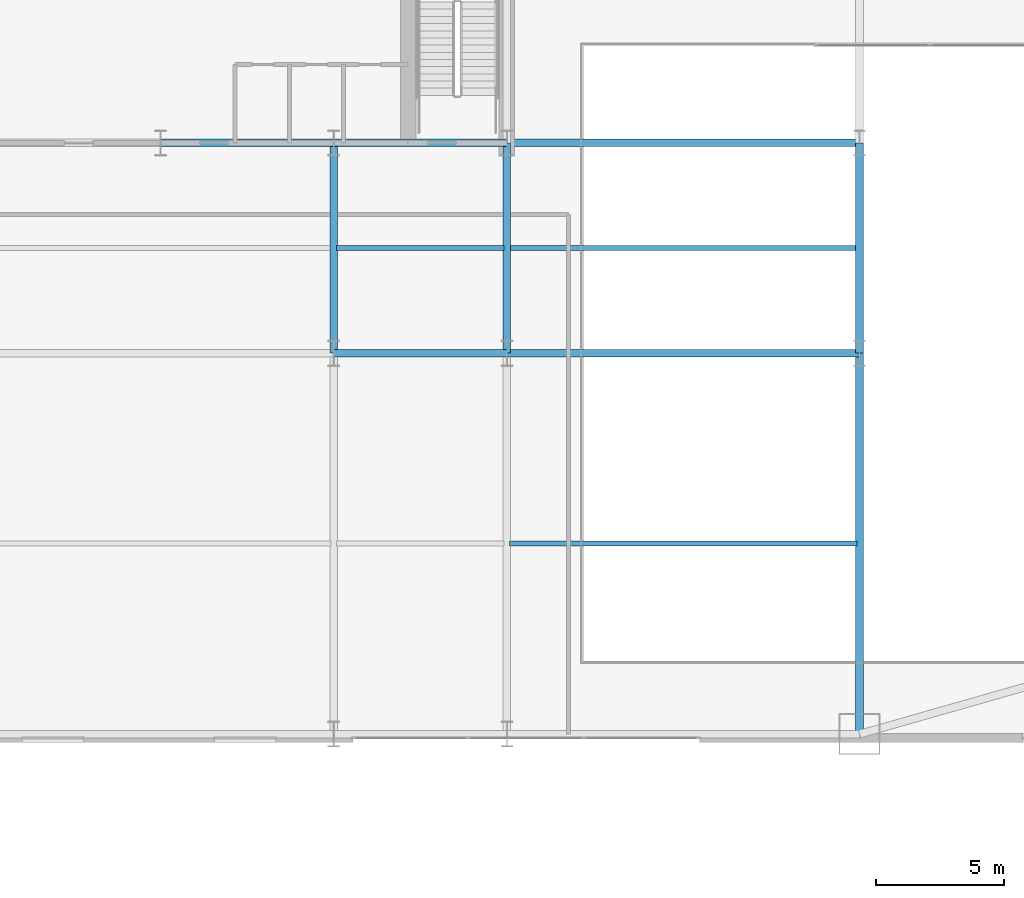
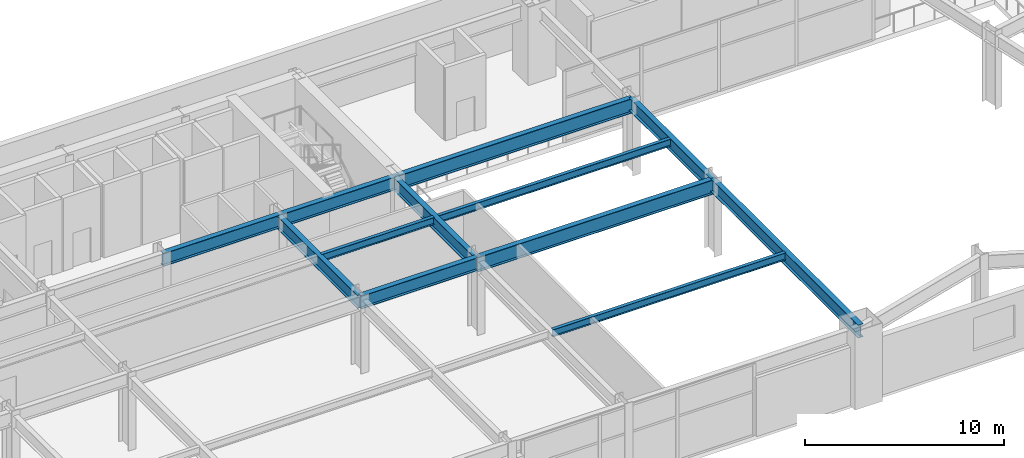
# One storey, part 7 of 30: 12 beams.
"""IFC4 building model written with IfcOpenShell, lengths in metres."""

from ifc_helpers import new_model, si_unit, direction, frame, origin, origin_2d, place, context, subcontext, project, spatial, i_section, extrude, material, material_profile, profile_set, type_object, element, save


model = new_model("IFC4")

# Units and contexts
model_context = context("Model", 3, precision=1e-05, world=origin(), true_north=direction((0.0, 1.0)))
body_context = subcontext(model_context, "Body", "Model", "MODEL_VIEW")
ifc_project = project(units=[si_unit("LENGTHUNIT", "METRE"), si_unit("AREAUNIT", "SQUARE_METRE"), si_unit("VOLUMEUNIT", "CUBIC_METRE"), si_unit("PLANEANGLEUNIT", "RADIAN"), si_unit("MASSUNIT", "GRAM", prefix="KILO")], contexts=[model_context])

# Site, building, storey
site_placement = place(None, origin())
site = spatial("IfcSite", under=ifc_project, at=site_placement, CompositionType="ELEMENT")
building_placement = place(site_placement, origin())
building = spatial("IfcBuilding", under=site, at=building_placement, Name="Haevon Station Towers", CompositionType="ELEMENT")
storey_placement = place(building_placement, frame((0.0, 0.0, 15.60009765625)))
storey = spatial("IfcBuildingStorey", under=building, at=storey_placement, Name="L03", CompositionType="ELEMENT", Elevation=15.60009765625)

# Beams
ifc_material = material(Name="Steel S355", Category="steel")
ifc_material_profile_1 = material_profile(ifc_material, i_section(OverallWidth=0.199951171875, OverallDepth=0.449951171875, WebThickness=0.009033203125, FlangeThickness=0.013916015625, at=origin_2d()), Name="H-450x200x9x14")
ifc_profile_set_1 = profile_set([ifc_material_profile_1], Name="Steel S355")
beam_type_1 = type_object("IfcBeamType", Name="BM-J450", PredefinedType="JOIST", material=ifc_profile_set_1)
beam_1_placement = place(storey_placement, frame((51.110107421875, 22.574951171875, 4.27490234375), z_axis=(1.0, 0.0, 0.0), x_axis=(0.0, 1.0, 0.0)))
element("IfcBeam", 1, at=beam_1_placement, inside=storey, type_object=beam_type_1, Name="BM-T1J-L03-01-05", PredefinedType="JOIST", context=body_context, shape_type="SweptSolid", body=[
    extrude(i_section(OverallWidth=0.199951171875, OverallDepth=0.449951171875, WebThickness=0.009033203125, FlangeThickness=0.013916015625, at=origin_2d()), origin(), (0.0, 0.0, 1.0), 13.52978515625),
])
beam_2_placement = place(storey_placement, frame((44.360107421875, 34.10009765625, 4.27490234375), z_axis=(1.0, 0.0, 0.0), x_axis=(0.0, 1.0, 0.0)))
element("IfcBeam", 2, at=beam_2_placement, inside=storey, type_object=beam_type_1, Name="BM-T1J-L03-02-04", PredefinedType="JOIST", context=body_context, shape_type="SweptSolid", body=[
    extrude(i_section(OverallWidth=0.199951171875, OverallDepth=0.449951171875, WebThickness=0.009033203125, FlangeThickness=0.013916015625, at=origin_2d()), origin(), (0.0, 0.0, 1.0), 6.52978515625),
])
beam_3_placement = place(storey_placement, frame((51.110107421875, 34.10009765625, 4.27490234375), z_axis=(1.0, 0.0, 0.0), x_axis=(0.0, 1.0, 0.0)))
element("IfcBeam", 3, at=beam_3_placement, inside=storey, type_object=beam_type_1, Name="BM-T1J-L03-02-05", PredefinedType="JOIST", context=body_context, shape_type="SweptSolid", body=[
    extrude(i_section(OverallWidth=0.199951171875, OverallDepth=0.449951171875, WebThickness=0.009033203125, FlangeThickness=0.013916015625, at=origin_2d()), origin(), (0.0, 0.0, 1.0), 13.52978515625),
])
ifc_material_profile_2 = material_profile(ifc_material, i_section(OverallWidth=0.300048828125, OverallDepth=0.800048828125, WebThickness=0.013916015625, FlangeThickness=0.02587890625, at=origin_2d()), Name="H-800x300x14x26")
ifc_profile_set_2 = profile_set([ifc_material_profile_2], Name="Steel S355")
beam_type_2 = type_object("IfcBeamType", Name="BM-PG800", PredefinedType="BEAM", material=ifc_profile_set_2)
for number, where, z_axis, x_axis, name in (
    (4, (44.25, 30.0, 4.099853515625), (1.0, 0.0, 0.0), (0.0, 1.0, 0.0), "BM-T1X-L03-02-05"),
    (5, (37.5, 38.199951171875, 4.099853515625), (1.0, 0.0, 0.0), (0.0, 1.0, 0.0), "BM-T1X-L03-03-04"),
    (6, (44.25, 38.199951171875, 4.099853515625), (1.0, 0.0, 0.0), (0.0, 1.0, 0.0), "BM-T1X-L03-03-05"),
):
    element("IfcBeam", number, at=place(storey_placement, frame(where, z_axis=z_axis, x_axis=x_axis)), inside=storey, type_object=beam_type_2, Name=name, PredefinedType="BEAM", context=body_context, shape_type="SweptSolid", body=[
        extrude(i_section(OverallWidth=0.300048828125, OverallDepth=0.800048828125, WebThickness=0.013916015625, FlangeThickness=0.02587890625, at=origin_2d()), origin(), (0.0, 0.0, 1.0), 6.75),
    ])
for number, where, z_axis, x_axis, name in (
    (7, (44.25, 30.0, 4.099853515625), (0.0, 1.0, 0.0), (-1.0, 0.0, 0.0), "BM-T1Y-L03-05-02"),
    (8, (51.0, 30.0, 4.099853515625), (0.0, 1.0, 0.0), (-1.0, 0.0, 0.0), "BM-T1Y-L03-06-02"),
):
    element("IfcBeam", number, at=place(storey_placement, frame(where, z_axis=z_axis, x_axis=x_axis)), inside=storey, type_object=beam_type_2, Name=name, PredefinedType="BEAM", context=body_context, shape_type="SweptSolid", body=[
        extrude(i_section(OverallWidth=0.300048828125, OverallDepth=0.800048828125, WebThickness=0.013916015625, FlangeThickness=0.02587890625, at=origin_2d()), origin(), (0.0, 0.0, 1.0), 8.199951171875),
    ])
beam_4_placement = place(storey_placement, frame((64.75, 15.14990234375, 4.099853515625), z_axis=(0.0, 1.0, 0.0), x_axis=(-1.0, 0.0, 0.0)))
element("IfcBeam", 9, at=beam_4_placement, inside=storey, type_object=beam_type_2, Name="BM-T1Y-L03-07-01", PredefinedType="BEAM", context=body_context, shape_type="SweptSolid", body=[
    extrude(i_section(OverallWidth=0.300048828125, OverallDepth=0.800048828125, WebThickness=0.013916015625, FlangeThickness=0.02587890625, at=origin_2d()), origin(), (0.0, 0.0, 1.0), 14.85009765625),
])
beam_5_placement = place(storey_placement, frame((64.75, 30.0, 4.099853515625), z_axis=(0.0, 1.0, 0.0), x_axis=(-1.0, 0.0, 0.0)))
element("IfcBeam", 10, at=beam_5_placement, inside=storey, type_object=beam_type_2, Name="BM-T1Y-L03-07-02", PredefinedType="BEAM", context=body_context, shape_type="SweptSolid", body=[
    extrude(i_section(OverallWidth=0.300048828125, OverallDepth=0.800048828125, WebThickness=0.013916015625, FlangeThickness=0.02587890625, at=origin_2d()), origin(), (0.0, 0.0, 1.0), 8.199951171875),
])
ifc_material_profile_3 = material_profile(ifc_material, i_section(OverallWidth=0.300048828125, OverallDepth=0.89990234375, WebThickness=0.01611328125, FlangeThickness=0.028076171875, at=origin_2d()), Name="H-900x300x16x28")
ifc_profile_set_3 = profile_set([ifc_material_profile_3], Name="Steel S355")
beam_type_3 = type_object("IfcBeamType", Name="BM-PG900", PredefinedType="BEAM", material=ifc_profile_set_3)
for number, where, z_axis, x_axis, name in (
    (11, (51.0, 30.0, 4.0498046875), (1.0, 0.0, 0.0), (0.0, 1.0, 0.0), "BM-T1X-L03-02-06"),
    (12, (51.0, 38.199951171875, 4.0498046875), (1.0, 0.0, 0.0), (0.0, 1.0, 0.0), "BM-T1X-L03-03-06"),
):
    element("IfcBeam", number, at=place(storey_placement, frame(where, z_axis=z_axis, x_axis=x_axis)), inside=storey, type_object=beam_type_3, Name=name, PredefinedType="BEAM", context=body_context, shape_type="SweptSolid", body=[
        extrude(i_section(OverallWidth=0.300048828125, OverallDepth=0.89990234375, WebThickness=0.01611328125, FlangeThickness=0.028076171875, at=origin_2d()), origin(), (0.0, 0.0, 1.0), 13.75),
    ])

save(model, "model.ifc")
